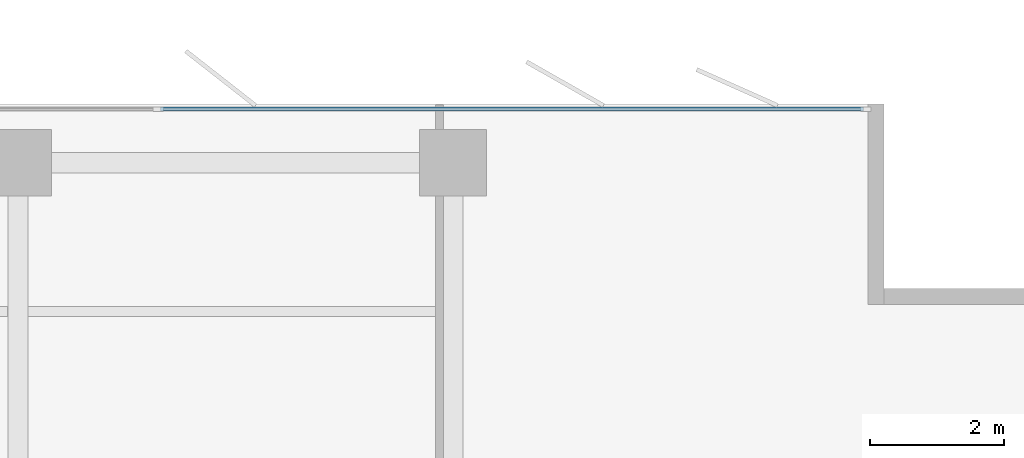
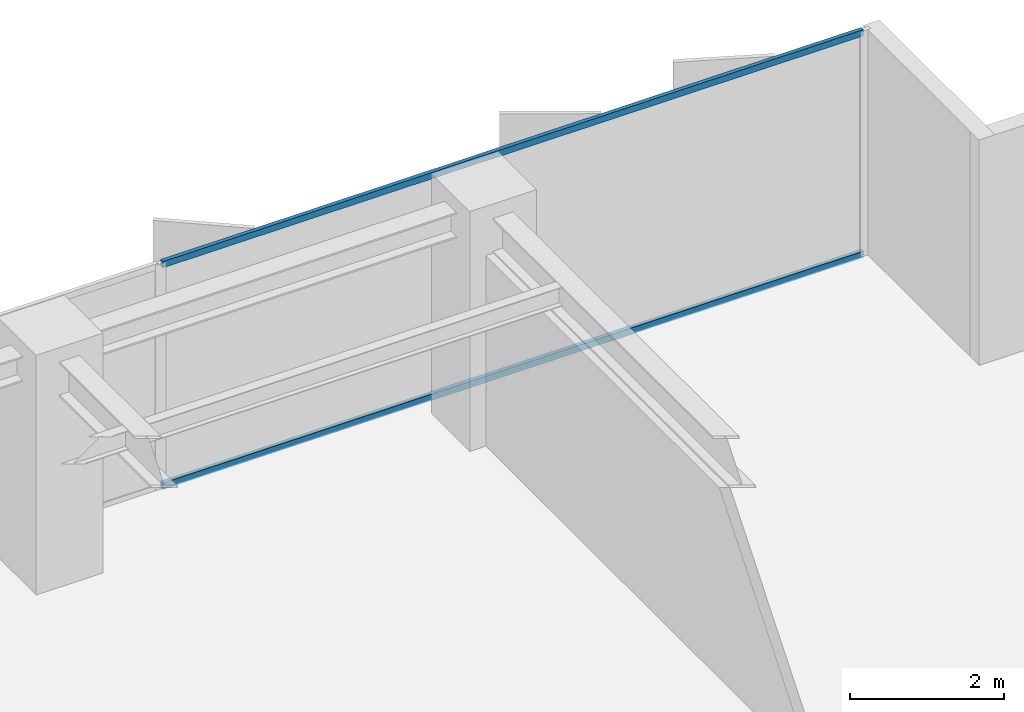
# One storey, part 11 of 22: 2 members, 1 element without a shape of its own.
"""IFC4 building model written with IfcOpenShell, lengths in metres."""

from ifc_helpers import new_model, si_unit, direction, frame, origin, origin_2d, place, context, subcontext, project, spatial, rectangle, extrude, material, layer, layer_set, material_profile, profile_set, type_object, element, aggregate, save


model = new_model("IFC4")

# Units and contexts
model_context = context("Model", 3, precision=1e-05, world=origin(), true_north=direction((0.0, 1.0)))
body_context = subcontext(model_context, "Body", "Model", "MODEL_VIEW")
ifc_project = project(units=[si_unit("LENGTHUNIT", "METRE"), si_unit("AREAUNIT", "SQUARE_METRE"), si_unit("VOLUMEUNIT", "CUBIC_METRE"), si_unit("PLANEANGLEUNIT", "RADIAN"), si_unit("MASSUNIT", "GRAM", prefix="KILO")], contexts=[model_context])

# Site, building, storey
site_placement = place(None, origin())
site = spatial("IfcSite", under=ifc_project, at=site_placement, CompositionType="ELEMENT")
building_placement = place(site_placement, origin())
building = spatial("IfcBuilding", under=site, at=building_placement, Name="Putna Gate Headquarters", CompositionType="ELEMENT")
storey_placement = place(building_placement, frame((0.0, 0.0, 163.199951171875)))
storey = spatial("IfcBuildingStorey", under=building, at=storey_placement, Name="L40", CompositionType="ELEMENT", Elevation=163.199951171875)

# Curtain wall, members
ifc_material_1 = material(Name="Anodised bronze aluminium curtain wall", Category="aluminium")
ifc_layer = layer(ifc_material_1, 0.159912109375)
ifc_layer_set = layer_set([ifc_layer], Name="Anodised bronze aluminium curtain wall")
curtain_wall_type = type_object("IfcCurtainWallType", Name="CW-SYS-Z3", PredefinedType="USERDEFINED", material=ifc_layer_set)
curtain_wall_placement = place(storey_placement, origin())
curtain_wall = element("IfcCurtainWall", 1, at=curtain_wall_placement, inside=storey, type_object=curtain_wall_type, Name="L40 North East Curtain Wall", ObjectType="STICK CURTAIN WALL", PredefinedType="USERDEFINED")
ifc_material_2 = material(Name="Anodised bronze aluminium EN AW-6060", Category="aluminium")
ifc_material_profile = material_profile(ifc_material_2, rectangle(XDim=0.06005859375, YDim=0.10009765625, at=origin_2d()), Name="Anodised bronze aluminium EN AW-6060")
ifc_profile_set = profile_set([ifc_material_profile], Name="Anodised bronze aluminium EN AW-6060")
member_type = type_object("IfcMemberType", Name="TRAN-CWT-3", PredefinedType="USERDEFINED", material=ifc_profile_set)
member_1_placement = place(storey_placement, frame((60.632568359375, 48.52001953125, 0.030029296875), z_axis=(1.0, 0.0, 0.0), x_axis=(0.0, 1.0, 0.0)))
member_1 = element("IfcMember", 2, at=member_1_placement, type_object=member_type, Name="CWS-3 transom 2.1", ObjectType="TRANSOM", PredefinedType="USERDEFINED", context=body_context, shape_type="SweptSolid", body=[
    extrude(rectangle(XDim=0.06005859375, YDim=0.10009765625, at=origin_2d()), origin(), (0.0, 0.0, 1.0), 10.50244140625),
])
member_2_placement = place(storey_placement, frame((60.632568359375, 48.52001953125, 3.5419921875), z_axis=(1.0, 0.0, 0.0), x_axis=(0.0, 1.0, 0.0)))
member_2 = element("IfcMember", 3, at=member_2_placement, type_object=member_type, Name="CWS-3 transom 2.2", ObjectType="TRANSOM", PredefinedType="USERDEFINED", context=body_context, shape_type="SweptSolid", body=[
    extrude(rectangle(XDim=0.06005859375, YDim=0.10009765625, at=origin_2d()), origin(), (0.0, 0.0, 1.0), 10.50244140625),
])
aggregate(curtain_wall, [member_1, member_2])

save(model, "model.ifc")
